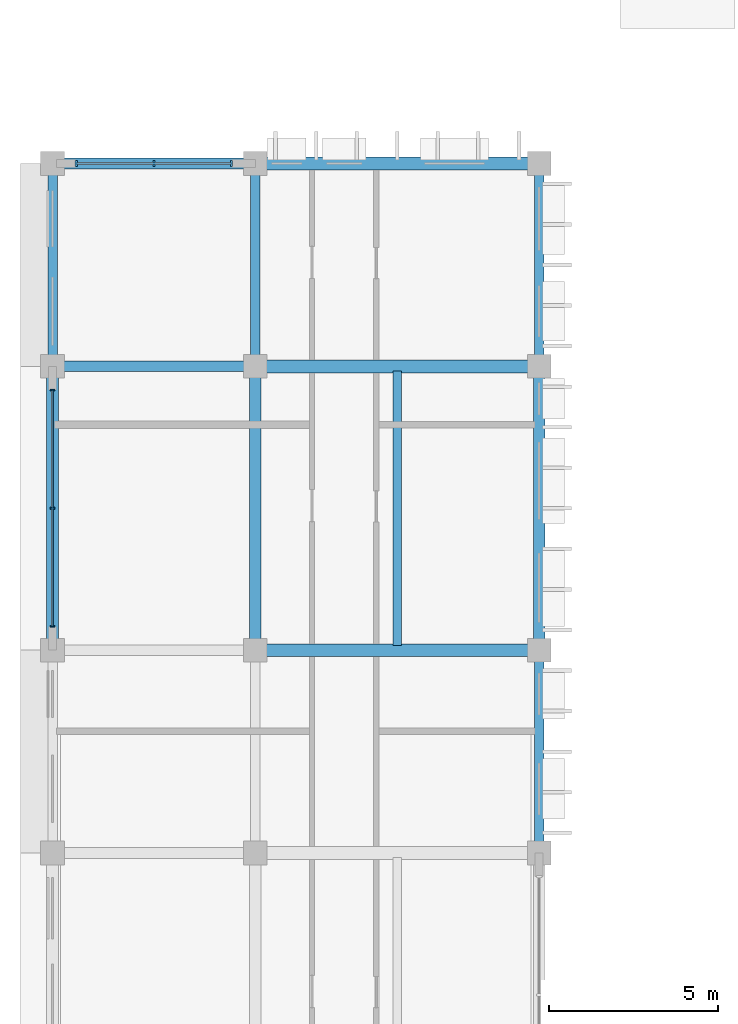
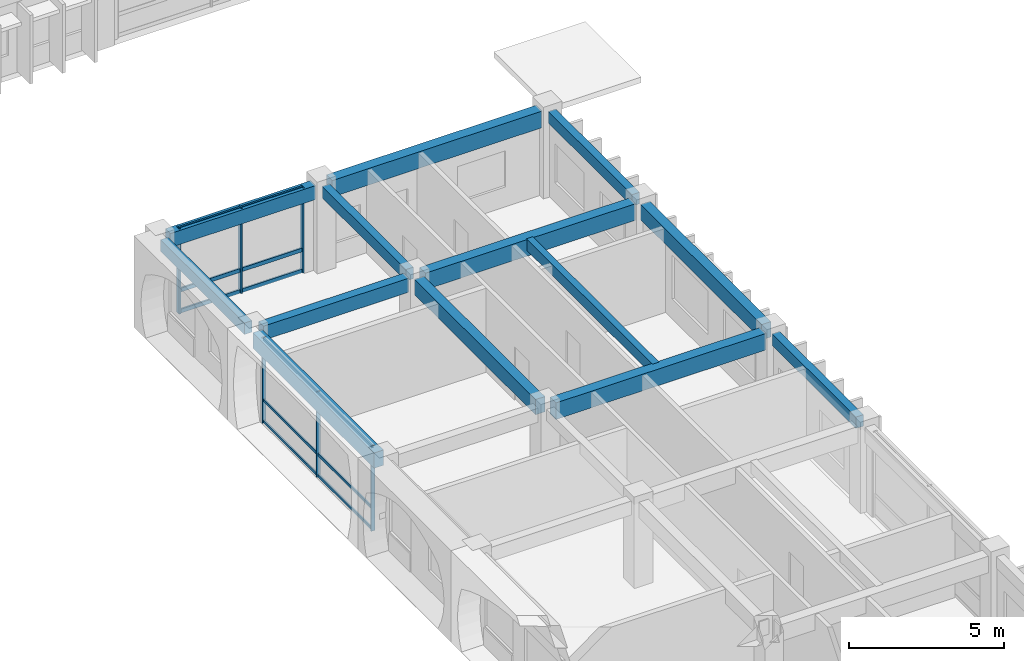
# One storey, part 17 of 88: 13 beams, 12 members, 2 elements without a shape of their own.
"""IFC4 building model written with IfcOpenShell, lengths in metres."""

from ifc_helpers import new_model, si_unit, direction, frame, origin, origin_2d, place, context, subcontext, project, spatial, rectangle, extrude, material, material_profile, profile_set, type_object, element, aggregate, save


model = new_model("IFC4")

# Units and contexts
model_context = context("Model", 3, precision=1e-05, world=origin(), true_north=direction((0.0, 1.0)))
body_context = subcontext(model_context, "Body", "Model", "MODEL_VIEW")
ifc_project = project(units=[si_unit("LENGTHUNIT", "METRE"), si_unit("AREAUNIT", "SQUARE_METRE"), si_unit("VOLUMEUNIT", "CUBIC_METRE"), si_unit("PLANEANGLEUNIT", "RADIAN"), si_unit("MASSUNIT", "GRAM", prefix="KILO"), si_unit("THERMODYNAMICTEMPERATUREUNIT", "KELVIN")], contexts=[model_context])

# Site, building, storey
site_placement = place(None, origin())
site = spatial("IfcSite", under=ifc_project, at=site_placement, CompositionType="ELEMENT")
building_placement = place(site_placement, origin())
building = spatial("IfcBuilding", under=site, at=building_placement, Name="Thalorik Housing Commons", CompositionType="ELEMENT")
storey_placement = place(building_placement, frame((0.0, 0.0, 4.5)))
storey = spatial("IfcBuildingStorey", under=building, at=storey_placement, Name="L01", CompositionType="ELEMENT", Elevation=4.5)

# Curtain wall, members
ifc_material_1 = material(Name="Anodised aluminium and solar-control low-E glass", Category="aluminium")
curtain_wall_type = type_object("IfcCurtainWallType", Name="ARC-CW-LOUNGE", PredefinedType="USERDEFINED", material=ifc_material_1)
curtain_wall_1_placement = place(storey_placement, origin())
curtain_wall_1 = element("IfcCurtainWall", 1, at=curtain_wall_1_placement, inside=storey, type_object=curtain_wall_type, Name="L01 Curtain Wall CW-RES-L01-C-129", ObjectType="CURTAIN WALL", PredefinedType="USERDEFINED")
ifc_material_2 = material(Name="Anodised aluminium 6063-T6", Category="aluminium")
ifc_material_profile_1 = material_profile(ifc_material_2, rectangle(XDim=0.054931640625, YDim=0.139892578125, at=origin_2d()), Name="ALU MUL 55x140", Category="aluminium")
ifc_profile_set_1 = profile_set([ifc_material_profile_1], Name="Anodised aluminium 6063-T6")
member_type_1 = type_object("IfcMemberType", Name="ARC-CW-MUL-55x140", PredefinedType="MULLION", material=ifc_profile_set_1)
member_1_placement = place(storey_placement, frame((8.39990234375, 50.89990234375, 0.0), z_axis=(0.0, 0.0, 1.0), x_axis=(0.0, -1.0, 0.0)))
member_1 = element("IfcMember", 2, at=member_1_placement, type_object=member_type_1, Name="CW-RES-L01-C-129 Mullion 1", PredefinedType="MULLION", context=body_context, shape_type="SweptSolid", body=[
    extrude(rectangle(XDim=0.054931640625, YDim=0.139892578125, at=origin_2d()), origin(), (0.0, 0.0, 1.0), 3.340087890625),
])
member_2_placement = place(storey_placement, frame((8.39990234375, 47.39990234375, 0.0), z_axis=(0.0, 0.0, 1.0), x_axis=(0.0, -1.0, 0.0)))
member_2 = element("IfcMember", 3, at=member_2_placement, type_object=member_type_1, Name="CW-RES-L01-C-129 Mullion 2", PredefinedType="MULLION", context=body_context, shape_type="SweptSolid", body=[
    extrude(rectangle(XDim=0.054931640625, YDim=0.139892578125, at=origin_2d()), origin(), (0.0, 0.0, 1.0), 3.340087890625),
])
member_3_placement = place(storey_placement, frame((8.39990234375, 43.89990234375, 0.0), z_axis=(0.0, 0.0, 1.0), x_axis=(0.0, -1.0, 0.0)))
member_3 = element("IfcMember", 4, at=member_3_placement, type_object=member_type_1, Name="CW-RES-L01-C-129 Mullion 3", PredefinedType="MULLION", context=body_context, shape_type="SweptSolid", body=[
    extrude(rectangle(XDim=0.054931640625, YDim=0.139892578125, at=origin_2d()), origin(), (0.0, 0.0, 1.0), 3.340087890625),
])

curtain_wall_2_placement = place(storey_placement, origin())
curtain_wall_2 = element("IfcCurtainWall", 5, at=curtain_wall_2_placement, inside=storey, type_object=curtain_wall_type, Name="L01 Curtain Wall CW-RES-L01-C-128", ObjectType="CURTAIN WALL", PredefinedType="USERDEFINED")
ifc_material_profile_2 = material_profile(ifc_material_2, rectangle(XDim=0.06494140625, YDim=0.179931640625, at=origin_2d()), Name="ALU MUL 65x180", Category="aluminium")
ifc_profile_set_2 = profile_set([ifc_material_profile_2], Name="Anodised aluminium 6063-T6")
member_type_2 = type_object("IfcMemberType", Name="ARC-CW-MUL-65x180", PredefinedType="MULLION", material=ifc_profile_set_2)
member_4_placement = place(storey_placement, frame((13.699951171875, 57.60009765625, 0.0), z_axis=(0.0, 0.0, 1.0), x_axis=(-1.0, 0.0, 0.0)))
member_4 = element("IfcMember", 6, at=member_4_placement, type_object=member_type_2, Name="CW-RES-L01-C-128 Mullion 1", PredefinedType="MULLION", context=body_context, shape_type="SweptSolid", body=[
    extrude(rectangle(XDim=0.06494140625, YDim=0.179931640625, at=origin_2d()), origin(), (0.0, 0.0, 1.0), 3.340087890625),
])
member_5_placement = place(storey_placement, frame((11.39990234375, 57.60009765625, 0.0), z_axis=(0.0, 0.0, 1.0), x_axis=(-1.0, 0.0, 0.0)))
member_5 = element("IfcMember", 7, at=member_5_placement, type_object=member_type_2, Name="CW-RES-L01-C-128 Mullion 2", PredefinedType="MULLION", context=body_context, shape_type="SweptSolid", body=[
    extrude(rectangle(XDim=0.06494140625, YDim=0.179931640625, at=origin_2d()), origin(), (0.0, 0.0, 1.0), 3.340087890625),
])
member_6_placement = place(storey_placement, frame((9.10009765625, 57.60009765625, 0.0), z_axis=(0.0, 0.0, 1.0), x_axis=(-1.0, 0.0, 0.0)))
member_6 = element("IfcMember", 8, at=member_6_placement, type_object=member_type_2, Name="CW-RES-L01-C-128 Mullion 3", PredefinedType="MULLION", context=body_context, shape_type="SweptSolid", body=[
    extrude(rectangle(XDim=0.06494140625, YDim=0.179931640625, at=origin_2d()), origin(), (0.0, 0.0, 1.0), 3.340087890625),
])

# Member
ifc_material_profile_3 = material_profile(ifc_material_2, rectangle(XDim=0.054931640625, YDim=0.10498046875, at=origin_2d()), Name="ALU TRN 55x105", Category="aluminium")
ifc_profile_set_3 = profile_set([ifc_material_profile_3], Name="Anodised aluminium 6063-T6")
member_type_3 = type_object("IfcMemberType", Name="ARC-CW-TRN-55x105", PredefinedType="USERDEFINED", material=ifc_profile_set_3)
member_7_placement = place(storey_placement, frame((8.39990234375, 50.89990234375, 0.054931640625), z_axis=(0.0, -1.0, 0.0), x_axis=(1.0, 0.0, 0.0)))
member_7 = element("IfcMember", 9, at=member_7_placement, type_object=member_type_3, Name="CW-RES-L01-C-129 Transom 1", ObjectType="TRANSOM", PredefinedType="USERDEFINED", context=body_context, shape_type="SweptSolid", body=[
    extrude(rectangle(XDim=0.054931640625, YDim=0.10498046875, at=origin_2d()), origin(), (0.0, 0.0, 1.0), 7.0),
])

member_8_placement = place(storey_placement, frame((8.39990234375, 50.89990234375, 0.8798828125), z_axis=(0.0, -1.0, 0.0), x_axis=(1.0, 0.0, 0.0)))
member_8 = element("IfcMember", 10, at=member_8_placement, type_object=member_type_3, Name="CW-RES-L01-C-129 Transom 2", ObjectType="TRANSOM", PredefinedType="USERDEFINED", context=body_context, shape_type="SweptSolid", body=[
    extrude(rectangle(XDim=0.054931640625, YDim=0.10498046875, at=origin_2d()), origin(), (0.0, 0.0, 1.0), 7.0),
])

member_9_placement = place(storey_placement, frame((8.39990234375, 50.89990234375, 3.284912109375), z_axis=(0.0, -1.0, 0.0), x_axis=(1.0, 0.0, 0.0)))
member_9 = element("IfcMember", 11, at=member_9_placement, type_object=member_type_3, Name="CW-RES-L01-C-129 Transom 3", ObjectType="TRANSOM", PredefinedType="USERDEFINED", context=body_context, shape_type="SweptSolid", body=[
    extrude(rectangle(XDim=0.054931640625, YDim=0.10498046875, at=origin_2d()), origin(), (0.0, 0.0, 1.0), 7.0),
])

aggregate(curtain_wall_1, [member_1, member_2, member_3, member_7, member_8, member_9])

ifc_material_profile_4 = material_profile(ifc_material_2, rectangle(XDim=0.06494140625, YDim=0.14990234375, at=origin_2d()), Name="ALU TRN 65x150", Category="aluminium")
ifc_profile_set_4 = profile_set([ifc_material_profile_4], Name="Anodised aluminium 6063-T6")
member_type_4 = type_object("IfcMemberType", Name="ARC-CW-TRN-65x150", PredefinedType="USERDEFINED", material=ifc_profile_set_4)
member_10_placement = place(storey_placement, frame((13.699951171875, 57.60009765625, 0.054931640625), z_axis=(-1.0, 0.0, 0.0), x_axis=(0.0, -1.0, 0.0)))
member_10 = element("IfcMember", 12, at=member_10_placement, type_object=member_type_4, Name="CW-RES-L01-C-128 Transom 1", ObjectType="TRANSOM", PredefinedType="USERDEFINED", context=body_context, shape_type="SweptSolid", body=[
    extrude(rectangle(XDim=0.06494140625, YDim=0.14990234375, at=origin_2d()), origin(), (0.0, 0.0, 1.0), 4.599853515625),
])

member_11_placement = place(storey_placement, frame((13.699951171875, 57.60009765625, 0.8798828125), z_axis=(-1.0, 0.0, 0.0), x_axis=(0.0, -1.0, 0.0)))
member_11 = element("IfcMember", 13, at=member_11_placement, type_object=member_type_4, Name="CW-RES-L01-C-128 Transom 2", ObjectType="TRANSOM", PredefinedType="USERDEFINED", context=body_context, shape_type="SweptSolid", body=[
    extrude(rectangle(XDim=0.06494140625, YDim=0.14990234375, at=origin_2d()), origin(), (0.0, 0.0, 1.0), 4.599853515625),
])

member_12_placement = place(storey_placement, frame((13.699951171875, 57.60009765625, 3.284912109375), z_axis=(-1.0, 0.0, 0.0), x_axis=(0.0, -1.0, 0.0)))
member_12 = element("IfcMember", 14, at=member_12_placement, type_object=member_type_4, Name="CW-RES-L01-C-128 Transom 3", ObjectType="TRANSOM", PredefinedType="USERDEFINED", context=body_context, shape_type="SweptSolid", body=[
    extrude(rectangle(XDim=0.06494140625, YDim=0.14990234375, at=origin_2d()), origin(), (0.0, 0.0, 1.0), 4.599853515625),
])

aggregate(curtain_wall_2, [member_4, member_5, member_6, member_10, member_11, member_12])

# Beams
ifc_material_3 = material(Name="Precast concrete C40/50", Category="concrete")
ifc_material_profile_5 = material_profile(ifc_material_3, rectangle(XDim=0.280029296875, YDim=0.449951171875, at=origin_2d()), Name="PC 280x450", Category="concrete")
ifc_profile_set_5 = profile_set([ifc_material_profile_5], Name="Precast concrete C40/50")
beam_type_1 = type_object("IfcBeamType", Name="STR-BM-PC280x450", PredefinedType="BEAM", material=ifc_profile_set_5)
for number, where, z_axis, x_axis, name in (
    (15, (8.39990234375, 51.89990234375, 3.114990234375), (0.0, 1.0, 0.0), (-1.0, 0.0, 0.0), "L01 Beam B-450"),
    (16, (14.39990234375, 51.89990234375, 3.114990234375), (0.0, 1.0, 0.0), (-1.0, 0.0, 0.0), "L01 Beam B-450"),
):
    element("IfcBeam", number, at=place(storey_placement, frame(where, z_axis=z_axis, x_axis=x_axis)), inside=storey, type_object=beam_type_1, Name=name, PredefinedType="BEAM", context=body_context, shape_type="SweptSolid", body=[
        extrude(rectangle(XDim=0.280029296875, YDim=0.449951171875, at=origin_2d()), origin(), (0.0, 0.0, 1.0), 5.400146484375),
    ])
beam_1_placement = place(storey_placement, frame((22.800048828125, 37.5, 3.114990234375), z_axis=(0.0, 1.0, 0.0), x_axis=(-1.0, 0.0, 0.0)))
element("IfcBeam", 17, at=beam_1_placement, inside=storey, type_object=beam_type_1, Name="L01 Beam B-450", PredefinedType="BEAM", context=body_context, shape_type="SweptSolid", body=[
    extrude(rectangle(XDim=0.280029296875, YDim=0.449951171875, at=origin_2d()), origin(), (0.0, 0.0, 1.0), 5.39990234375),
])
beam_2_placement = place(storey_placement, frame((22.800048828125, 51.89990234375, 3.114990234375), z_axis=(0.0, 1.0, 0.0), x_axis=(-1.0, 0.0, 0.0)))
element("IfcBeam", 18, at=beam_2_placement, inside=storey, type_object=beam_type_1, Name="L01 Beam B-450", PredefinedType="BEAM", context=body_context, shape_type="SweptSolid", body=[
    extrude(rectangle(XDim=0.280029296875, YDim=0.449951171875, at=origin_2d()), origin(), (0.0, 0.0, 1.0), 5.400146484375),
])
ifc_material_profile_6 = material_profile(ifc_material_3, rectangle(XDim=0.320068359375, YDim=0.550048828125, at=origin_2d()), Name="PC 320x550", Category="concrete")
ifc_profile_set_6 = profile_set([ifc_material_profile_6], Name="Precast concrete C40/50")
beam_type_2 = type_object("IfcBeamType", Name="STR-BM-PC320x550", PredefinedType="BEAM", material=ifc_profile_set_6)
for number, where, z_axis, x_axis, name in (
    (19, (8.699951171875, 51.60009765625, 3.06494140625), (1.0, 0.0, 0.0), (0.0, 1.0, 0.0), "L01 Beam B-550"),
    (20, (8.699951171875, 57.60009765625, 3.06494140625), (1.0, 0.0, 0.0), (0.0, 1.0, 0.0), "L01 Beam B-550"),
):
    element("IfcBeam", number, at=place(storey_placement, frame(where, z_axis=z_axis, x_axis=x_axis)), inside=storey, type_object=beam_type_2, Name=name, PredefinedType="BEAM", context=body_context, shape_type="SweptSolid", body=[
        extrude(rectangle(XDim=0.320068359375, YDim=0.550048828125, at=origin_2d()), origin(), (0.0, 0.0, 1.0), 5.400146484375),
    ])
ifc_material_profile_7 = material_profile(ifc_material_3, rectangle(XDim=0.35009765625, YDim=0.60009765625, at=origin_2d()), Name="PC 350x600", Category="concrete")
ifc_profile_set_7 = profile_set([ifc_material_profile_7], Name="Precast concrete C40/50")
beam_type_3 = type_object("IfcBeamType", Name="STR-BM-PC350x600", PredefinedType="BEAM", material=ifc_profile_set_7)
for number, where, z_axis, x_axis, name in (
    (21, (8.39990234375, 43.5, 3.0400390625), (0.0, 1.0, 0.0), (-1.0, 0.0, 0.0), "L01 Beam B-600"),
    (22, (14.39990234375, 43.5, 3.0400390625), (0.0, 1.0, 0.0), (-1.0, 0.0, 0.0), "L01 Beam B-600"),
    (23, (22.800048828125, 43.5, 3.0400390625), (0.0, 1.0, 0.0), (-1.0, 0.0, 0.0), "L01 Beam B-600"),
):
    element("IfcBeam", number, at=place(storey_placement, frame(where, z_axis=z_axis, x_axis=x_axis)), inside=storey, type_object=beam_type_3, Name=name, PredefinedType="BEAM", context=body_context, shape_type="SweptSolid", body=[
        extrude(rectangle(XDim=0.35009765625, YDim=0.60009765625, at=origin_2d()), origin(), (0.0, 0.0, 1.0), 7.800048828125),
    ])
ifc_material_profile_8 = material_profile(ifc_material_3, rectangle(XDim=0.3798828125, YDim=0.64990234375, at=origin_2d()), Name="PC 380x650", Category="concrete")
ifc_profile_set_8 = profile_set([ifc_material_profile_8], Name="Precast concrete C40/50")
beam_type_4 = type_object("IfcBeamType", Name="STR-BM-PC380x650", PredefinedType="BEAM", material=ifc_profile_set_8)
for number, where, z_axis, x_axis, name in (
    (24, (14.699951171875, 43.199951171875, 3.014892578125), (1.0, 0.0, 0.0), (0.0, 1.0, 0.0), "L01 Beam B-650"),
    (25, (14.699951171875, 51.60009765625, 3.014892578125), (1.0, 0.0, 0.0), (0.0, 1.0, 0.0), "L01 Beam B-650"),
    (26, (14.699951171875, 57.60009765625, 3.014892578125), (1.0, 0.0, 0.0), (0.0, 1.0, 0.0), "L01 Beam B-650"),
):
    element("IfcBeam", number, at=place(storey_placement, frame(where, z_axis=z_axis, x_axis=x_axis)), inside=storey, type_object=beam_type_4, Name=name, PredefinedType="BEAM", context=body_context, shape_type="SweptSolid", body=[
        extrude(rectangle(XDim=0.3798828125, YDim=0.64990234375, at=origin_2d()), origin(), (0.0, 0.0, 1.0), 7.800048828125),
    ])
ifc_material_profile_9 = material_profile(ifc_material_3, rectangle(XDim=0.239990234375, YDim=0.43994140625, at=origin_2d()), Name="PC JST 240x440", Category="concrete")
ifc_profile_set_9 = profile_set([ifc_material_profile_9], Name="Precast concrete C40/50")
beam_type_5 = type_object("IfcBeamType", Name="STR-JST-PC240x440", PredefinedType="JOIST", material=ifc_profile_set_9)
beam_3_placement = place(storey_placement, frame((18.60009765625, 43.340087890625, 3.1201171875), z_axis=(0.0, 1.0, 0.0), x_axis=(-1.0, 0.0, 0.0)))
element("IfcBeam", 27, at=beam_3_placement, inside=storey, type_object=beam_type_5, Name="L01 Beam J-440", PredefinedType="JOIST", context=body_context, shape_type="SweptSolid", body=[
    extrude(rectangle(XDim=0.239990234375, YDim=0.43994140625, at=origin_2d()), origin(), (0.0, 0.0, 1.0), 8.119873046875),
])

save(model, "model.ifc")
